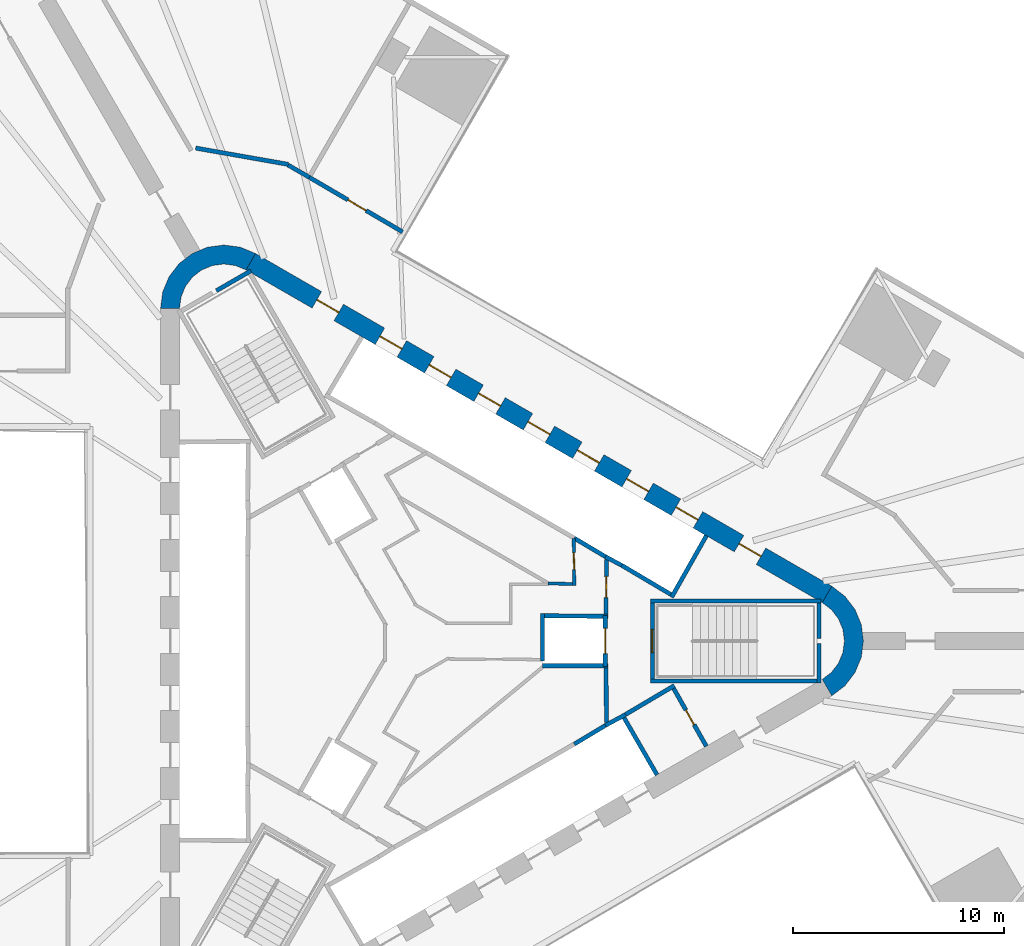
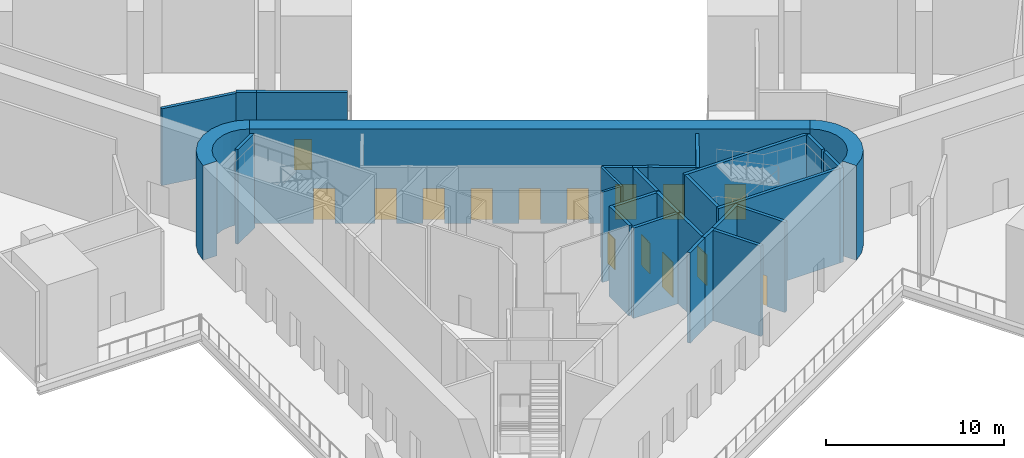
# One storey, part 6 of 11: 29 walls, 15 doors, 15 openings.
"""IFC4 building model written with IfcOpenShell, lengths in metres."""

from ifc_helpers import new_model, si_unit, direction, frame, frame_2d, origin, place, context, subcontext, project, spatial, polyline, rectangle, outline, extrude, material, layer, layer_set, type_object, element, fill, save


model = new_model("IFC4")

# Units and contexts
model_context = context("Model", 3, precision=1e-05, world=origin(), true_north=direction((0.0, 1.0)))
body_context = subcontext(model_context, "Body", "Model", "MODEL_VIEW")
ifc_project = project(units=[si_unit("LENGTHUNIT", "METRE"), si_unit("AREAUNIT", "SQUARE_METRE"), si_unit("VOLUMEUNIT", "CUBIC_METRE"), si_unit("PLANEANGLEUNIT", "RADIAN"), si_unit("MASSUNIT", "GRAM", prefix="KILO")], contexts=[model_context])

# Site, building, storey
site_placement = place(None, origin())
site = spatial("IfcSite", under=ifc_project, at=site_placement, CompositionType="ELEMENT")
building_placement = place(site_placement, origin())
building = spatial("IfcBuilding", under=site, at=building_placement, Name="Tanit Gate Tower", CompositionType="ELEMENT")
storey_placement = place(building_placement, frame((0.0, 0.0, 9.0)))
storey = spatial("IfcBuildingStorey", under=building, at=storey_placement, Name="L01", CompositionType="ELEMENT", Elevation=9.0)

# Wall, openings, doors
ifc_material_1 = material(Name="Concrete C60/75", Category="concrete")
ifc_layer_1 = layer(ifc_material_1, 0.89990234375)
ifc_layer_set_1 = layer_set([ifc_layer_1], Name="CORE WALL 900 C60/75")
wall_type_1 = type_object("IfcWallType", Name="CORE WALL 900 C60/75", PredefinedType="SHEAR", material=ifc_layer_set_1)
wall_1_placement = place(storey_placement, frame((19.47509765625, 2.20849609375, 0.0), z_axis=(0.0, 0.0, 1.0), x_axis=(-0.866028369851, 0.499994862586, 0.0)))
wall_1 = element("IfcWall", 1, at=wall_1_placement, inside=storey, type_object=wall_type_1, Name="CORE WALL", PredefinedType="SHEAR", context=body_context, shape_type="SweptSolid", body=[
    extrude(rectangle(XDim=31.523193359375, YDim=0.89990234375, at=frame_2d((15.76171875, 0.0))), origin(), (0.0, 0.0, 1.0), 6.5),
])
opening_1_placement = place(wall_1_placement, frame((7.0615234375, 0.0, 0.0)))
opening_1 = element("IfcOpeningElement", 2, at=opening_1_placement, cuts=wall_1, Name="Opening LDLL8-01", PredefinedType="OPENING", context=body_context, shape_type="SweptSolid", body=[
    extrude(rectangle(XDim=1.199951171875, YDim=2.39990234375, at=frame_2d((0.60009765625, 1.199951171875))), frame((0.0, 0.4599609375, 0.0), z_axis=(0.0, -1.0, 0.0), x_axis=(1.0, 0.0, 0.0)), (0.0, 0.0, 1.0), 0.919921875),
])
opening_2_placement = place(wall_1_placement, frame((9.76171875, 0.0, 0.0)))
opening_2 = element("IfcOpeningElement", 3, at=opening_2_placement, cuts=wall_1, Name="Opening LDLL9-01", PredefinedType="OPENING", context=body_context, shape_type="SweptSolid", body=[
    extrude(rectangle(XDim=1.199951171875, YDim=2.39990234375, at=frame_2d((0.60009765625, 1.199951171875))), frame((0.0, 0.4599609375, 0.0), z_axis=(0.0, -1.0, 0.0), x_axis=(1.0, 0.0, 0.0)), (0.0, 0.0, 1.0), 0.919921875),
])
opening_3_placement = place(wall_1_placement, frame((12.461669921875, 0.0, 0.0)))
opening_3 = element("IfcOpeningElement", 4, at=opening_3_placement, cuts=wall_1, Name="Opening LDLL10-01", PredefinedType="OPENING", context=body_context, shape_type="SweptSolid", body=[
    extrude(rectangle(XDim=1.199951171875, YDim=2.39990234375, at=frame_2d((0.60009765625, 1.199951171875))), frame((0.0, 0.4599609375, 0.0), z_axis=(0.0, -1.0, 0.0), x_axis=(1.0, 0.0, 0.0)), (0.0, 0.0, 1.0), 0.919921875),
])
opening_4_placement = place(wall_1_placement, frame((15.16162109375, 0.0, 0.0)))
opening_4 = element("IfcOpeningElement", 5, at=opening_4_placement, cuts=wall_1, Name="Opening LDSL1-01", PredefinedType="OPENING", context=body_context, shape_type="SweptSolid", body=[
    extrude(rectangle(XDim=1.199951171875, YDim=2.39990234375, at=frame_2d((0.60009765625, 1.199951171875))), frame((0.0, 0.4599609375, 0.0), z_axis=(0.0, -1.0, 0.0), x_axis=(1.0, 0.0, 0.0)), (0.0, 0.0, 1.0), 0.919921875),
])
opening_5_placement = place(wall_1_placement, frame((17.861572265625, 0.0, 0.0)))
opening_5 = element("IfcOpeningElement", 6, at=opening_5_placement, cuts=wall_1, Name="Opening LDSL2-01", PredefinedType="OPENING", context=body_context, shape_type="SweptSolid", body=[
    extrude(rectangle(XDim=1.199951171875, YDim=2.39990234375, at=frame_2d((0.60009765625, 1.199951171875))), frame((0.0, 0.4599609375, 0.0), z_axis=(0.0, -1.0, 0.0), x_axis=(1.0, 0.0, 0.0)), (0.0, 0.0, 1.0), 0.919921875),
])
opening_6_placement = place(wall_1_placement, frame((20.5615234375, 0.0, 0.0)))
opening_6 = element("IfcOpeningElement", 7, at=opening_6_placement, cuts=wall_1, Name="Opening LDSL3-01", PredefinedType="OPENING", context=body_context, shape_type="SweptSolid", body=[
    extrude(rectangle(XDim=1.199951171875, YDim=2.39990234375, at=frame_2d((0.60009765625, 1.199951171875))), frame((0.0, 0.4599609375, 0.0), z_axis=(0.0, -1.0, 0.0), x_axis=(1.0, 0.0, 0.0)), (0.0, 0.0, 1.0), 0.919921875),
])
opening_7_placement = place(wall_1_placement, frame((23.26171875, 0.0, 0.0)))
opening_7 = element("IfcOpeningElement", 8, at=opening_7_placement, cuts=wall_1, Name="Opening LDSL4-01", PredefinedType="OPENING", context=body_context, shape_type="SweptSolid", body=[
    extrude(rectangle(XDim=1.199951171875, YDim=2.39990234375, at=frame_2d((0.60009765625, 1.199951171875))), frame((0.0, 0.4599609375, 0.0), z_axis=(0.0, -1.0, 0.0), x_axis=(1.0, 0.0, 0.0)), (0.0, 0.0, 1.0), 0.919921875),
])
opening_8_placement = place(wall_1_placement, frame((3.611572265625, 0.0, 0.0)))
opening_8 = element("IfcOpeningElement", 9, at=opening_8_placement, cuts=wall_1, Name="Opening F12-01-FL1", PredefinedType="OPENING", context=body_context, shape_type="SweptSolid", body=[
    extrude(rectangle(XDim=1.199951171875, YDim=2.39990234375, at=frame_2d((0.60009765625, 1.199951171875))), frame((0.0, 0.4599609375, 0.0), z_axis=(0.0, -1.0, 0.0), x_axis=(1.0, 0.0, 0.0)), (0.0, 0.0, 1.0), 0.919921875),
])
opening_9_placement = place(wall_1_placement, frame((26.711669921875, 0.0, 0.0)))
opening_9 = element("IfcOpeningElement", 10, at=opening_9_placement, cuts=wall_1, Name="Opening F12-01-S2", PredefinedType="OPENING", context=body_context, shape_type="SweptSolid", body=[
    extrude(rectangle(XDim=1.199951171875, YDim=2.39990234375, at=frame_2d((0.60009765625, 1.199951171875))), frame((0.0, 0.4599609375, 0.0), z_axis=(0.0, -1.0, 0.0), x_axis=(1.0, 0.0, 0.0)), (0.0, 0.0, 1.0), 0.919921875),
])
ifc_material_2 = material(Name="Fire-rated steel door leaf", Category="steel")
door_type_1 = type_object("IfcDoorType", Name="INT-DOOR-FIRE-LOBBY-1200", OperationType="NOTDEFINED", PredefinedType="USERDEFINED", material=ifc_material_2)
door_1_placement = place(opening_8_placement, origin())
door_1 = element("IfcDoor", 11, at=door_1_placement, inside=storey, type_object=door_type_1, Name="Door F12-01-FL1", ObjectType="FIRE DOOR", OperationType="SINGLE_SWING_RIGHT", OverallHeight=2.39990234375, OverallWidth=1.199951171875, PredefinedType="USERDEFINED", context=body_context, shape_type="SweptSolid", body=[
    extrude(rectangle(XDim=1.199951171875, YDim=2.39990234375, at=frame_2d((0.60009765625, 1.199951171875))), frame((0.0, 0.02490234375, 0.0), z_axis=(0.0, -1.0, 0.0), x_axis=(1.0, 0.0, 0.0)), (0.0, 0.0, 1.0), 0.050048828125),
])
fill(opening_8, door_1)
door_2_placement = place(opening_9_placement, origin())
door_2 = element("IfcDoor", 12, at=door_2_placement, inside=storey, type_object=door_type_1, Name="Door F12-01-S2", ObjectType="FIRE DOOR", OperationType="SINGLE_SWING_RIGHT", OverallHeight=2.39990234375, OverallWidth=1.199951171875, PredefinedType="USERDEFINED", context=body_context, shape_type="SweptSolid", body=[
    extrude(rectangle(XDim=1.199951171875, YDim=2.39990234375, at=frame_2d((0.60009765625, 1.199951171875))), frame((0.0, 0.02490234375, 0.0), z_axis=(0.0, -1.0, 0.0), x_axis=(1.0, 0.0, 0.0)), (0.0, 0.0, 1.0), 0.050048828125),
])
fill(opening_9, door_2)
ifc_material_3 = material(Name="Stainless steel sliding door leaf", Category="steel")
door_type_2 = type_object("IfcDoorType", Name="INT-DOOR-LANDING-1200", OperationType="NOTDEFINED", PredefinedType="USERDEFINED", material=ifc_material_3)
door_3_placement = place(opening_1_placement, origin())
door_3 = element("IfcDoor", 13, at=door_3_placement, inside=storey, type_object=door_type_2, Name="Door LDLL8-01", ObjectType="LANDING DOOR", OperationType="SLIDING_TO_LEFT", OverallHeight=2.39990234375, OverallWidth=1.199951171875, PredefinedType="USERDEFINED", context=body_context, shape_type="SweptSolid", body=[
    extrude(rectangle(XDim=1.199951171875, YDim=2.39990234375, at=frame_2d((0.60009765625, 1.199951171875))), frame((0.0, 0.02490234375, 0.0), z_axis=(0.0, -1.0, 0.0), x_axis=(1.0, 0.0, 0.0)), (0.0, 0.0, 1.0), 0.050048828125),
])
fill(opening_1, door_3)
door_4_placement = place(opening_2_placement, origin())
door_4 = element("IfcDoor", 14, at=door_4_placement, inside=storey, type_object=door_type_2, Name="Door LDLL9-01", ObjectType="LANDING DOOR", OperationType="SLIDING_TO_LEFT", OverallHeight=2.39990234375, OverallWidth=1.199951171875, PredefinedType="USERDEFINED", context=body_context, shape_type="SweptSolid", body=[
    extrude(rectangle(XDim=1.199951171875, YDim=2.39990234375, at=frame_2d((0.60009765625, 1.199951171875))), frame((0.0, 0.02490234375, 0.0), z_axis=(0.0, -1.0, 0.0), x_axis=(1.0, 0.0, 0.0)), (0.0, 0.0, 1.0), 0.050048828125),
])
fill(opening_2, door_4)
door_5_placement = place(opening_3_placement, origin())
door_5 = element("IfcDoor", 15, at=door_5_placement, inside=storey, type_object=door_type_2, Name="Door LDLL10-01", ObjectType="LANDING DOOR", OperationType="SLIDING_TO_LEFT", OverallHeight=2.39990234375, OverallWidth=1.199951171875, PredefinedType="USERDEFINED", context=body_context, shape_type="SweptSolid", body=[
    extrude(rectangle(XDim=1.199951171875, YDim=2.39990234375, at=frame_2d((0.60009765625, 1.199951171875))), frame((0.0, 0.02490234375, 0.0), z_axis=(0.0, -1.0, 0.0), x_axis=(1.0, 0.0, 0.0)), (0.0, 0.0, 1.0), 0.050048828125),
])
fill(opening_3, door_5)
door_6_placement = place(opening_4_placement, origin())
door_6 = element("IfcDoor", 16, at=door_6_placement, inside=storey, type_object=door_type_2, Name="Door LDSL1-01", ObjectType="LANDING DOOR", OperationType="SLIDING_TO_LEFT", OverallHeight=2.39990234375, OverallWidth=1.199951171875, PredefinedType="USERDEFINED", context=body_context, shape_type="SweptSolid", body=[
    extrude(rectangle(XDim=1.199951171875, YDim=2.39990234375, at=frame_2d((0.60009765625, 1.199951171875))), frame((0.0, 0.02490234375, 0.0), z_axis=(0.0, -1.0, 0.0), x_axis=(1.0, 0.0, 0.0)), (0.0, 0.0, 1.0), 0.050048828125),
])
fill(opening_4, door_6)
door_7_placement = place(opening_5_placement, origin())
door_7 = element("IfcDoor", 17, at=door_7_placement, inside=storey, type_object=door_type_2, Name="Door LDSL2-01", ObjectType="LANDING DOOR", OperationType="SLIDING_TO_LEFT", OverallHeight=2.39990234375, OverallWidth=1.199951171875, PredefinedType="USERDEFINED", context=body_context, shape_type="SweptSolid", body=[
    extrude(rectangle(XDim=1.199951171875, YDim=2.39990234375, at=frame_2d((0.60009765625, 1.199951171875))), frame((0.0, 0.02490234375, 0.0), z_axis=(0.0, -1.0, 0.0), x_axis=(1.0, 0.0, 0.0)), (0.0, 0.0, 1.0), 0.050048828125),
])
fill(opening_5, door_7)
door_8_placement = place(opening_6_placement, origin())
door_8 = element("IfcDoor", 18, at=door_8_placement, inside=storey, type_object=door_type_2, Name="Door LDSL3-01", ObjectType="LANDING DOOR", OperationType="SLIDING_TO_LEFT", OverallHeight=2.39990234375, OverallWidth=1.199951171875, PredefinedType="USERDEFINED", context=body_context, shape_type="SweptSolid", body=[
    extrude(rectangle(XDim=1.199951171875, YDim=2.39990234375, at=frame_2d((0.60009765625, 1.199951171875))), frame((0.0, 0.02490234375, 0.0), z_axis=(0.0, -1.0, 0.0), x_axis=(1.0, 0.0, 0.0)), (0.0, 0.0, 1.0), 0.050048828125),
])
fill(opening_6, door_8)
door_9_placement = place(opening_7_placement, origin())
door_9 = element("IfcDoor", 19, at=door_9_placement, inside=storey, type_object=door_type_2, Name="Door LDSL4-01", ObjectType="LANDING DOOR", OperationType="SLIDING_TO_LEFT", OverallHeight=2.39990234375, OverallWidth=1.199951171875, PredefinedType="USERDEFINED", context=body_context, shape_type="SweptSolid", body=[
    extrude(rectangle(XDim=1.199951171875, YDim=2.39990234375, at=frame_2d((0.60009765625, 1.199951171875))), frame((0.0, 0.02490234375, 0.0), z_axis=(0.0, -1.0, 0.0), x_axis=(1.0, 0.0, 0.0)), (0.0, 0.0, 1.0), 0.050048828125),
])
fill(opening_7, door_9)

# Walls
wall_2_placement = place(storey_placement, origin())
element("IfcWall", 20, at=wall_2_placement, inside=storey, type_object=wall_type_1, Name="CORE WALL CORNER", PredefinedType="SHEAR", context=body_context, shape_type="SweptSolid", body=[
    extrude(outline(polyline([(-7.60009765625, 18.359619140625), (-8.323486328125, 18.659423828125), (-9.10009765625, 18.76171875), (-9.87646484375, 18.659423828125), (-10.60009765625, 18.359619140625), (-11.22119140625, 17.883056640625), (-11.697998046875, 17.26171875), (-11.997802734375, 16.5380859375), (-12.10009765625, 15.76171875), (-11.199951171875, 15.76171875), (-11.12841796875, 16.30517578125), (-10.918701171875, 16.811767578125), (-10.5849609375, 17.24658203125), (-10.14990234375, 17.580322265625), (-9.6435546875, 17.7900390625), (-9.10009765625, 17.86181640625), (-8.556396484375, 17.7900390625), (-8.050048828125, 17.580322265625), (-7.60009765625, 18.359619140625)])), origin(), (0.0, 0.0, 1.0), 6.5),
])
wall_3_placement = place(storey_placement, origin())
element("IfcWall", 21, at=wall_3_placement, inside=storey, type_object=wall_type_1, Name="CORE WALL CORNER", PredefinedType="SHEAR", context=body_context, shape_type="SweptSolid", body=[
    extrude(outline(polyline([(19.699951171875, -2.59814453125), (20.3212890625, -2.121337890625), (20.798095703125, -1.5), (21.097900390625, -0.776611328125), (21.199951171875, 0.0), (21.097900390625, 0.776611328125), (20.798095703125, 1.5), (20.3212890625, 2.121337890625), (19.699951171875, 2.59814453125), (19.25, 1.818603515625), (19.684814453125, 1.48486328125), (20.018798828125, 1.050048828125), (20.228515625, 0.54345703125), (20.300048828125, 0.0), (20.228515625, -0.54345703125), (20.018798828125, -1.050048828125), (19.684814453125, -1.48486328125), (19.25, -1.818603515625), (19.699951171875, -2.59814453125)])), origin(), (0.0, 0.0, 1.0), 6.5),
])
ifc_material_4 = material(Name="Fire-rated gypsum board partition")
ifc_layer_2 = layer(ifc_material_4, 0.199951171875)
ifc_layer_set_2 = layer_set([ifc_layer_2], Name="INT-WALL-COMPARTMENT")
wall_type_2 = type_object("IfcWallType", Name="INT-WALL-COMPARTMENT", PredefinedType="PARTITIONING", material=ifc_layer_set_2)
wall_4_placement = place(storey_placement, frame((12.244873046875, -2.10888671875, 0.0), z_axis=(0.0, 0.0, 1.0), x_axis=(-0.860414880418, -0.509594185166, 0.0)))
element("IfcWall", 22, at=wall_4_placement, inside=storey, type_object=wall_type_2, Name="Wall Compartment W060", PredefinedType="PARTITIONING", context=body_context, shape_type="SweptSolid", body=[
    extrude(rectangle(XDim=2.7001953125, YDim=0.199951171875, at=frame_2d((1.35009765625, 0.0))), origin(), (0.0, 0.0, 1.0), 6.199951171875),
])

# Wall, opening, door
wall_5_placement = place(storey_placement, frame((13.758056640625, -4.989501953125, 0.0), z_axis=(0.0, 0.0, 1.0), x_axis=(-0.491993409184, 0.87059892334, 0.0)))
wall_5 = element("IfcWall", 23, at=wall_5_placement, inside=storey, type_object=wall_type_2, Name="Wall Compartment W061", PredefinedType="PARTITIONING", context=body_context, shape_type="SweptSolid", body=[
    extrude(rectangle(XDim=3.150146484375, YDim=0.199951171875, at=frame_2d((1.5751953125, 0.0))), origin(), (0.0, 0.0, 1.0), 6.199951171875),
])
opening_10_placement = place(wall_5_placement, frame((1.175048828125, 0.0, 0.0)))
opening_10 = element("IfcOpeningElement", 24, at=opening_10_placement, cuts=wall_5, Name="Opening R08-01-15", PredefinedType="OPENING", context=body_context, shape_type="SweptSolid", body=[
    extrude(rectangle(XDim=0.800048828125, YDim=2.10009765625, at=frame_2d((0.39990234375, 1.050048828125))), frame((0.0, 0.10986328125, 0.0), z_axis=(0.0, -1.0, 0.0), x_axis=(1.0, 0.0, 0.0)), (0.0, 0.0, 1.0), 0.219970703125),
])
ifc_material_5 = material(Name="Timber door leaf", Category="wood")
door_type_3 = type_object("IfcDoorType", Name="INT-DOOR-RISER-800", OperationType="NOTDEFINED", PredefinedType="USERDEFINED", material=ifc_material_5)
door_10_placement = place(opening_10_placement, origin())
door_10 = element("IfcDoor", 25, at=door_10_placement, inside=storey, type_object=door_type_3, Name="Door R08-01-15", ObjectType="FIRE DOOR", OperationType="SINGLE_SWING_RIGHT", OverallHeight=2.10009765625, OverallWidth=0.800048828125, PredefinedType="USERDEFINED", context=body_context, shape_type="SweptSolid", body=[
    extrude(rectangle(XDim=0.800048828125, YDim=2.10009765625, at=frame_2d((0.39990234375, 1.050048828125))), frame((0.0, 0.02490234375, 0.0), z_axis=(0.0, -1.0, 0.0), x_axis=(1.0, 0.0, 0.0)), (0.0, 0.0, 1.0), 0.050048828125),
])
fill(opening_10, door_10)

# Wall
wall_6_placement = place(storey_placement, frame((9.02880859375, -3.8505859375, 0.0), z_axis=(0.0, 0.0, 1.0), x_axis=(-0.010784614026, 0.999941844359, 0.0)))
element("IfcWall", 26, at=wall_6_placement, inside=storey, type_object=wall_type_2, Name="Wall Compartment W062", PredefinedType="PARTITIONING", context=body_context, shape_type="SweptSolid", body=[
    extrude(rectangle(XDim=2.580810546875, YDim=0.199951171875, at=frame_2d((1.29052734375, 0.0))), origin(), (0.0, 0.0, 1.0), 6.199951171875),
])

# Wall, opening, door
wall_7_placement = place(storey_placement, frame((9.0009765625, 1.27001953125, 0.0), z_axis=(0.0, 0.0, 1.0), x_axis=(0.010783593937, 0.99994185536, 0.0)))
wall_7 = element("IfcWall", 27, at=wall_7_placement, inside=storey, type_object=wall_type_2, Name="Wall Compartment W063", PredefinedType="PARTITIONING", context=body_context, shape_type="SweptSolid", body=[
    extrude(rectangle(XDim=2.5810546875, YDim=0.199951171875, at=frame_2d((1.29052734375, 0.0))), origin(), (0.0, 0.0, 1.0), 6.199951171875),
])
opening_11_placement = place(wall_7_placement, frame((0.79052734375, 0.0, 0.0)))
opening_11 = element("IfcOpeningElement", 28, at=opening_11_placement, cuts=wall_7, Name="Opening F10-01-02", PredefinedType="OPENING", context=body_context, shape_type="SweptSolid", body=[
    extrude(rectangle(XDim=1.0, YDim=2.10009765625, at=frame_2d((0.5, 1.050048828125))), frame((0.0, 0.10986328125, 0.0), z_axis=(0.0, -1.0, 0.0), x_axis=(1.0, 0.0, 0.0)), (0.0, 0.0, 1.0), 0.219970703125),
])
ifc_material_6 = material(Name="Fire-rated steel door leaf", Category="steel")
door_type_4 = type_object("IfcDoorType", Name="INT-DOOR-FIRE-1000", OperationType="NOTDEFINED", PredefinedType="USERDEFINED", material=ifc_material_6)
door_11_placement = place(opening_11_placement, origin())
door_11 = element("IfcDoor", 29, at=door_11_placement, inside=storey, type_object=door_type_4, Name="Door F10-01-02", ObjectType="FIRE DOOR", OperationType="SINGLE_SWING_LEFT", OverallHeight=2.10009765625, OverallWidth=1.0, PredefinedType="USERDEFINED", context=body_context, shape_type="SweptSolid", body=[
    extrude(rectangle(XDim=1.0, YDim=2.10009765625, at=frame_2d((0.5, 1.050048828125))), frame((0.0, 0.02490234375, 0.0), z_axis=(0.0, -1.0, 0.0), x_axis=(1.0, 0.0, 0.0)), (0.0, 0.0, 1.0), 0.050048828125),
])
fill(opening_11, door_11)

# Wall
wall_8_placement = place(storey_placement, frame((-5.044921875, 21.96533203125, 0.0), z_axis=(0.0, 0.0, 1.0), x_axis=(-0.866042521559, 0.499970349973, 0.0)))
element("IfcWall", 30, at=wall_8_placement, inside=storey, type_object=wall_type_2, Name="Wall Compartment W114", PredefinedType="PARTITIONING", context=body_context, shape_type="SweptSolid", body=[
    extrude(rectangle(XDim=1.1650390625, YDim=0.199951171875, at=frame_2d((0.58251953125, 0.0))), origin(), (0.0, 0.0, 1.0), 5.3798828125),
])

# Wall, opening, door
wall_9_placement = place(storey_placement, frame((-0.637451171875, 19.385986328125, 0.0), z_axis=(0.0, 0.0, 1.0), x_axis=(-0.863122732054, 0.504994207305, 0.0)))
wall_9 = element("IfcWall", 31, at=wall_9_placement, inside=storey, type_object=wall_type_2, Name="Wall Compartment W111", PredefinedType="PARTITIONING", context=body_context, shape_type="SweptSolid", body=[
    extrude(rectangle(XDim=5.106689453125, YDim=0.199951171875, at=frame_2d((2.55322265625, 0.0))), origin(), (0.0, 0.0, 1.0), 5.3798828125),
])
opening_12_placement = place(wall_9_placement, frame((2.000244140625, 0.0, 0.0)))
opening_12 = element("IfcOpeningElement", 32, at=opening_12_placement, cuts=wall_9, Name="Opening F10-01-23", PredefinedType="OPENING", context=body_context, shape_type="SweptSolid", body=[
    extrude(rectangle(XDim=1.0, YDim=2.10009765625, at=frame_2d((0.5, 1.050048828125))), frame((0.0, 0.10986328125, 0.0), z_axis=(0.0, -1.0, 0.0), x_axis=(1.0, 0.0, 0.0)), (0.0, 0.0, 1.0), 0.219970703125),
])
door_12_placement = place(opening_12_placement, origin())
door_12 = element("IfcDoor", 33, at=door_12_placement, inside=storey, type_object=door_type_4, Name="Door F10-01-23", ObjectType="FIRE DOOR", OperationType="SINGLE_SWING_RIGHT", OverallHeight=2.10009765625, OverallWidth=1.0, PredefinedType="USERDEFINED", context=body_context, shape_type="SweptSolid", body=[
    extrude(rectangle(XDim=1.0, YDim=2.10009765625, at=frame_2d((0.5, 1.050048828125))), frame((0.0, 0.02490234375, 0.0), z_axis=(0.0, -1.0, 0.0), x_axis=(1.0, 0.0, 0.0)), (0.0, 0.0, 1.0), 0.050048828125),
])
fill(opening_12, door_12)

# Wall
wall_10_placement = place(storey_placement, frame((-6.042236328125, 22.58056640625, 0.0), z_axis=(0.0, 0.0, 1.0), x_axis=(-0.984812172214, 0.173623113264, 0.0)))
element("IfcWall", 34, at=wall_10_placement, inside=storey, type_object=wall_type_2, Name="Wall Compartment W113", PredefinedType="PARTITIONING", context=body_context, shape_type="SweptSolid", body=[
    extrude(rectangle(XDim=4.464599609375, YDim=0.199951171875, at=frame_2d((2.232421875, 0.0))), origin(), (0.0, 0.0, 1.0), 5.280029296875),
])

# Wall, opening, door
ifc_material_7 = material(Name="Fire-rated gypsum board partition")
ifc_layer_3 = layer(ifc_material_7, 0.14990234375)
ifc_layer_set_3 = layer_set([ifc_layer_3], Name="INT-WALL-RISER")
wall_type_3 = type_object("IfcWallType", Name="INT-WALL-RISER", PredefinedType="PLUMBINGWALL", material=ifc_layer_set_3)
wall_11_placement = place(storey_placement, frame((7.5009765625, 2.625, 0.0), z_axis=(0.0, 0.0, 1.0), x_axis=(-0.01177286769, 0.999930697392, 0.0)))
wall_11 = element("IfcWall", 35, at=wall_11_placement, inside=storey, type_object=wall_type_3, Name="Wall Riser W082", PredefinedType="PLUMBINGWALL", context=body_context, shape_type="SweptSolid", body=[
    extrude(rectangle(XDim=2.23974609375, YDim=0.14990234375, at=frame_2d((1.119873046875, 0.0))), origin(), (0.0, 0.0, 1.0), 6.199951171875),
])
opening_13_placement = place(wall_11_placement, frame((0.75732421875, 0.0, 0.0)))
opening_13 = element("IfcOpeningElement", 36, at=opening_13_placement, cuts=wall_11, Name="Opening R08-01-13", PredefinedType="OPENING", context=body_context, shape_type="SweptSolid", body=[
    extrude(rectangle(XDim=0.800048828125, YDim=2.10009765625, at=frame_2d((0.39990234375, 1.050048828125))), frame((0.0, 0.0849609375, 0.0), z_axis=(0.0, -1.0, 0.0), x_axis=(1.0, 0.0, 0.0)), (0.0, 0.0, 1.0), 0.169921875),
])
door_13_placement = place(opening_13_placement, origin())
door_13 = element("IfcDoor", 37, at=door_13_placement, inside=storey, type_object=door_type_3, Name="Door R08-01-13", ObjectType="FIRE DOOR", OperationType="SINGLE_SWING_RIGHT", OverallHeight=2.10009765625, OverallWidth=0.800048828125, PredefinedType="USERDEFINED", context=body_context, shape_type="SweptSolid", body=[
    extrude(rectangle(XDim=0.800048828125, YDim=2.10009765625, at=frame_2d((0.39990234375, 1.050048828125))), frame((0.0, 0.02490234375, 0.0), z_axis=(0.0, -1.0, 0.0), x_axis=(1.0, 0.0, 0.0)), (0.0, 0.0, 1.0), 0.050048828125),
])
fill(opening_13, door_13)

# Walls
wall_12_placement = place(storey_placement, frame((6.249267578125, 2.7294921875, 0.0), z_axis=(0.0, 0.0, 1.0), x_axis=(0.999719957279, -0.023664467427, 0.0)))
element("IfcWall", 38, at=wall_12_placement, inside=storey, type_object=wall_type_3, Name="Wall Riser W083", PredefinedType="PLUMBINGWALL", context=body_context, shape_type="SweptSolid", body=[
    extrude(rectangle(XDim=1.176025390625, YDim=0.14990234375, at=frame_2d((0.587890625, 0.0))), origin(), (0.0, 0.0, 1.0), 6.199951171875),
])
ifc_material_8 = material(Name="Gypsum shaft wall system")
ifc_layer_4 = layer(ifc_material_8, 0.199951171875)
ifc_layer_set_4 = layer_set([ifc_layer_4], Name="INT-WALL-SHAFT")
wall_type_4 = type_object("IfcWallType", Name="INT-WALL-SHAFT", PredefinedType="PLUMBINGWALL", material=ifc_layer_set_4)
wall_13_placement = place(storey_placement, frame((12.10986328125, 2.07275390625, 0.0), z_axis=(0.0, 0.0, 1.0), x_axis=(0.49196600604, 0.870614408852, 0.0)))
element("IfcWall", 39, at=wall_13_placement, inside=storey, type_object=wall_type_4, Name="Wall Shaft W013", PredefinedType="PLUMBINGWALL", context=body_context, shape_type="SweptSolid", body=[
    extrude(rectangle(XDim=3.35009765625, YDim=0.199951171875, at=frame_2d((1.675048828125, 0.0))), origin(), (0.0, 0.0, 1.0), 6.199951171875),
])
wall_14_placement = place(storey_placement, frame((12.072998046875, 2.2109375, 0.0), z_axis=(0.0, 0.0, 1.0), x_axis=(-0.860438357912, 0.509554542943, 0.0)))
element("IfcWall", 40, at=wall_14_placement, inside=storey, type_object=wall_type_4, Name="Wall Shaft W014", PredefinedType="PLUMBINGWALL", context=body_context, shape_type="SweptSolid", body=[
    extrude(rectangle(XDim=2.700439453125, YDim=0.199951171875, at=frame_2d((1.35009765625, 0.0))), origin(), (0.0, 0.0, 1.0), 6.199951171875),
])
wall_15_placement = place(storey_placement, frame((9.74755859375, 3.583251953125, 0.0), z_axis=(0.0, 0.0, 1.0), x_axis=(-0.880917147855, 0.473270513147, 0.0)))
element("IfcWall", 41, at=wall_15_placement, inside=storey, type_object=wall_type_4, Name="Wall Shaft W015", PredefinedType="PLUMBINGWALL", context=body_context, shape_type="SweptSolid", body=[
    extrude(rectangle(XDim=0.8779296875, YDim=0.199951171875, at=frame_2d((0.43896484375, 0.0))), origin(), (0.0, 0.0, 1.0), 6.199951171875),
])
wall_16_placement = place(storey_placement, frame((9.07958984375, 3.93701171875, 0.0), z_axis=(0.0, 0.0, 1.0), x_axis=(-0.859981807212, 0.510324691999, 0.0)))
element("IfcWall", 42, at=wall_16_placement, inside=storey, type_object=wall_type_4, Name="Wall Shaft W016", PredefinedType="PLUMBINGWALL", context=body_context, shape_type="SweptSolid", body=[
    extrude(rectangle(XDim=1.8447265625, YDim=0.199951171875, at=frame_2d((0.92236328125, 0.0))), origin(), (0.0, 0.0, 1.0), 6.199951171875),
])
wall_17_placement = place(storey_placement, frame((9.794677734375, -3.52490234375, 0.0), z_axis=(0.0, 0.0, 1.0), x_axis=(0.499984717929, -0.866034226713, 0.0)))
element("IfcWall", 43, at=wall_17_placement, inside=storey, type_object=wall_type_4, Name="Wall Shaft W024", PredefinedType="PLUMBINGWALL", context=body_context, shape_type="SweptSolid", body=[
    extrude(rectangle(XDim=3.25, YDim=0.199951171875, at=frame_2d((1.625, 0.0))), origin(), (0.0, 0.0, 1.0), 6.199951171875),
])
wall_18_placement = place(storey_placement, frame((8.97412109375, -3.998779296875, 0.0), z_axis=(0.0, 0.0, 1.0), x_axis=(0.880907015104, 0.473289373154, 0.0)))
element("IfcWall", 44, at=wall_18_placement, inside=storey, type_object=wall_type_4, Name="Wall Shaft W025", PredefinedType="PLUMBINGWALL", context=body_context, shape_type="SweptSolid", body=[
    extrude(rectangle(XDim=1.078125, YDim=0.199951171875, at=frame_2d((0.5390625, 0.0))), origin(), (0.0, 0.0, 1.0), 6.199951171875),
])
wall_19_placement = place(storey_placement, frame((7.497314453125, -4.885986328125, 0.0), z_axis=(0.0, 0.0, 1.0), x_axis=(0.857516281273, 0.51445682749, 0.0)))
element("IfcWall", 45, at=wall_19_placement, inside=storey, type_object=wall_type_4, Name="Wall Shaft W026", PredefinedType="PLUMBINGWALL", context=body_context, shape_type="SweptSolid", body=[
    extrude(rectangle(XDim=1.8447265625, YDim=0.199951171875, at=frame_2d((0.92236328125, 0.0))), origin(), (0.0, 0.0, 1.0), 6.199951171875),
])

# Wall, opening, door
wall_20_placement = place(storey_placement, frame((8.969970703125, 1.199951171875, 0.0), z_axis=(0.0, 0.0, 1.0), x_axis=(0.0, -1.0, 0.0)))
wall_20 = element("IfcWall", 46, at=wall_20_placement, inside=storey, type_object=wall_type_4, Name="Wall Shaft W038", PredefinedType="PLUMBINGWALL", context=body_context, shape_type="SweptSolid", body=[
    extrude(rectangle(XDim=2.39990234375, YDim=0.199951171875, at=frame_2d((1.199951171875, 0.0))), origin(), (0.0, 0.0, 1.0), 6.199951171875),
])
opening_14_placement = place(wall_20_placement, frame((0.60009765625, 0.0, 0.0)))
opening_14 = element("IfcOpeningElement", 47, at=opening_14_placement, cuts=wall_20, Name="Opening LDFL1-L01", PredefinedType="OPENING", context=body_context, shape_type="SweptSolid", body=[
    extrude(rectangle(XDim=1.199951171875, YDim=2.39990234375, at=frame_2d((0.60009765625, 1.199951171875))), frame((0.0, 0.10986328125, 0.0), z_axis=(0.0, -1.0, 0.0), x_axis=(1.0, 0.0, 0.0)), (0.0, 0.0, 1.0), 0.219970703125),
])
door_14_placement = place(opening_14_placement, origin())
door_14 = element("IfcDoor", 48, at=door_14_placement, inside=storey, type_object=door_type_2, Name="Door LDFL1-L01", ObjectType="LANDING DOOR", OperationType="SLIDING_TO_LEFT", OverallHeight=2.39990234375, OverallWidth=1.199951171875, PredefinedType="USERDEFINED", context=body_context, shape_type="SweptSolid", body=[
    extrude(rectangle(XDim=1.199951171875, YDim=2.39990234375, at=frame_2d((0.60009765625, 1.199951171875))), frame((0.0, 0.02490234375, 0.0), z_axis=(0.0, -1.0, 0.0), x_axis=(1.0, 0.0, 0.0)), (0.0, 0.0, 1.0), 0.050048828125),
])
fill(opening_14, door_14)

# Walls
wall_21_placement = place(storey_placement, frame((9.10009765625, -1.169921875, 0.0), z_axis=(0.0, 0.0, 1.0), x_axis=(-0.999998759609, -0.001575049235, 0.0)))
element("IfcWall", 49, at=wall_21_placement, inside=storey, type_object=wall_type_4, Name="Wall Shaft W039", PredefinedType="PLUMBINGWALL", context=body_context, shape_type="SweptSolid", body=[
    extrude(rectangle(XDim=3.10009765625, YDim=0.199951171875, at=frame_2d((1.550048828125, 0.0))), origin(), (0.0, 0.0, 1.0), 6.199951171875),
])
wall_22_placement = place(storey_placement, frame((6.0, -0.939453125, 0.0), z_axis=(0.0, 0.0, 1.0), x_axis=(0.0, 1.0, 0.0)))
element("IfcWall", 50, at=wall_22_placement, inside=storey, type_object=wall_type_4, Name="Wall Shaft W040", PredefinedType="PLUMBINGWALL", context=body_context, shape_type="SweptSolid", body=[
    extrude(rectangle(XDim=2.239501953125, YDim=0.199951171875, at=frame_2d((1.11962890625, 0.0))), origin(), (0.0, 0.0, 1.0), 6.199951171875),
])
wall_23_placement = place(storey_placement, frame((9.10009765625, 1.1689453125, 0.0), z_axis=(0.0, 0.0, 1.0), x_axis=(-0.99994990606, 0.010009264196, 0.0)))
element("IfcWall", 51, at=wall_23_placement, inside=storey, type_object=wall_type_4, Name="Wall Shaft W041", PredefinedType="PLUMBINGWALL", context=body_context, shape_type="SweptSolid", body=[
    extrude(rectangle(XDim=3.000244140625, YDim=0.199951171875, at=frame_2d((1.5, 0.0))), origin(), (0.0, 0.0, 1.0), 6.199951171875),
])
ifc_material_9 = material(Name="Concrete C40/50", Category="concrete")
ifc_layer_5 = layer(ifc_material_9, 0.199951171875)
ifc_layer_set_5 = layer_set([ifc_layer_5], Name="INT-WALL-STAIR")
wall_type_5 = type_object("IfcWallType", Name="INT-WALL-STAIR", PredefinedType="SHEAR", material=ifc_layer_set_5)
wall_24_placement = place(storey_placement, frame((19.199951171875, 1.89990234375, -0.300048828125), z_axis=(0.0, 0.0, 1.0), x_axis=(-1.0, 0.0, 0.0)))
element("IfcWall", 52, at=wall_24_placement, inside=storey, type_object=wall_type_5, Name="Wall Stair W033", PredefinedType="SHEAR", context=body_context, shape_type="SweptSolid", body=[
    extrude(rectangle(XDim=8.099853515625, YDim=0.199951171875, at=frame_2d((4.0498046875, 0.0))), origin(), (0.0, 0.0, 1.0), 6.5),
])
wall_25_placement = place(storey_placement, frame((19.10009765625, -2.0, -0.300048828125), z_axis=(0.0, 0.0, 1.0), x_axis=(0.0, 1.0, 0.0)))
element("IfcWall", 53, at=wall_25_placement, inside=storey, type_object=wall_type_5, Name="Wall Stair W035", PredefinedType="SHEAR", context=body_context, shape_type="SweptSolid", body=[
    extrude(rectangle(XDim=1.889892578125, YDim=0.199951171875, at=frame_2d((0.94482421875, 0.0))), origin(), (0.0, 0.0, 1.0), 6.5),
])
wall_26_placement = place(storey_placement, frame((19.10009765625, 0.110107421875, -0.300048828125), z_axis=(0.0, 0.0, 1.0), x_axis=(0.0, 1.0, 0.0)))
element("IfcWall", 54, at=wall_26_placement, inside=storey, type_object=wall_type_5, Name="Wall Stair W034", PredefinedType="SHEAR", context=body_context, shape_type="SweptSolid", body=[
    extrude(rectangle(XDim=1.68994140625, YDim=0.199951171875, at=frame_2d((0.844970703125, 0.0))), origin(), (0.0, 0.0, 1.0), 6.5),
])
wall_27_placement = place(storey_placement, frame((11.10009765625, -1.89990234375, -0.300048828125), z_axis=(0.0, 0.0, 1.0), x_axis=(1.0, 0.0, 0.0)))
element("IfcWall", 55, at=wall_27_placement, inside=storey, type_object=wall_type_5, Name="Wall Stair W036", PredefinedType="SHEAR", context=body_context, shape_type="SweptSolid", body=[
    extrude(rectangle(XDim=7.89990234375, YDim=0.199951171875, at=frame_2d((3.949951171875, 0.0))), origin(), (0.0, 0.0, 1.0), 6.5),
])

# Wall, opening, door
wall_28_placement = place(storey_placement, frame((11.199951171875, -1.800048828125, -0.300048828125), z_axis=(0.0, 0.0, 1.0), x_axis=(0.0, 1.0, 0.0)))
wall_28 = element("IfcWall", 56, at=wall_28_placement, inside=storey, type_object=wall_type_5, Name="Wall Stair W037", PredefinedType="SHEAR", context=body_context, shape_type="SweptSolid", body=[
    extrude(rectangle(XDim=3.60009765625, YDim=0.199951171875, at=frame_2d((1.800048828125, 0.0))), origin(), (0.0, 0.0, 1.0), 6.5),
])
opening_15_placement = place(wall_28_placement, frame((1.25, 0.0, 0.300048828125)))
opening_15 = element("IfcOpeningElement", 57, at=opening_15_placement, cuts=wall_28, Name="Opening S11-01-01", PredefinedType="OPENING", context=body_context, shape_type="SweptSolid", body=[
    extrude(rectangle(XDim=1.10009765625, YDim=2.10009765625, at=frame_2d((0.550048828125, 1.050048828125))), frame((0.0, 0.10986328125, 0.0), z_axis=(0.0, -1.0, 0.0), x_axis=(1.0, 0.0, 0.0)), (0.0, 0.0, 1.0), 0.219970703125),
])
ifc_material_10 = material(Name="Timber door leaf", Category="wood")
door_type_5 = type_object("IfcDoorType", Name="INT-DOOR-STAIR-1100", OperationType="NOTDEFINED", PredefinedType="USERDEFINED", material=ifc_material_10)
door_15_placement = place(opening_15_placement, origin())
door_15 = element("IfcDoor", 58, at=door_15_placement, inside=storey, type_object=door_type_5, Name="Door S11-01-01", ObjectType="FIRE DOOR", OperationType="SINGLE_SWING_RIGHT", OverallHeight=2.10009765625, OverallWidth=1.10009765625, PredefinedType="USERDEFINED", context=body_context, shape_type="SweptSolid", body=[
    extrude(rectangle(XDim=1.10009765625, YDim=2.10009765625, at=frame_2d((0.550048828125, 1.050048828125))), frame((0.0, 0.02490234375, 0.0), z_axis=(0.0, -1.0, 0.0), x_axis=(1.0, 0.0, 0.0)), (0.0, 0.0, 1.0), 0.050048828125),
])
fill(opening_15, door_15)

# Wall
wall_29_placement = place(storey_placement, frame((-7.81787109375, 17.541015625, -0.300048828125), z_axis=(0.0, 0.0, 1.0), x_axis=(-0.866088799389, -0.499890179513, 0.0)))
element("IfcWall", 59, at=wall_29_placement, inside=storey, type_object=wall_type_5, Name="Wall Stair W044", PredefinedType="SHEAR", context=body_context, shape_type="SweptSolid", body=[
    extrude(rectangle(XDim=1.89013671875, YDim=0.199951171875, at=frame_2d((0.945068359375, 0.0))), origin(), (0.0, 0.0, 1.0), 6.5),
])

save(model, "model.ifc")
